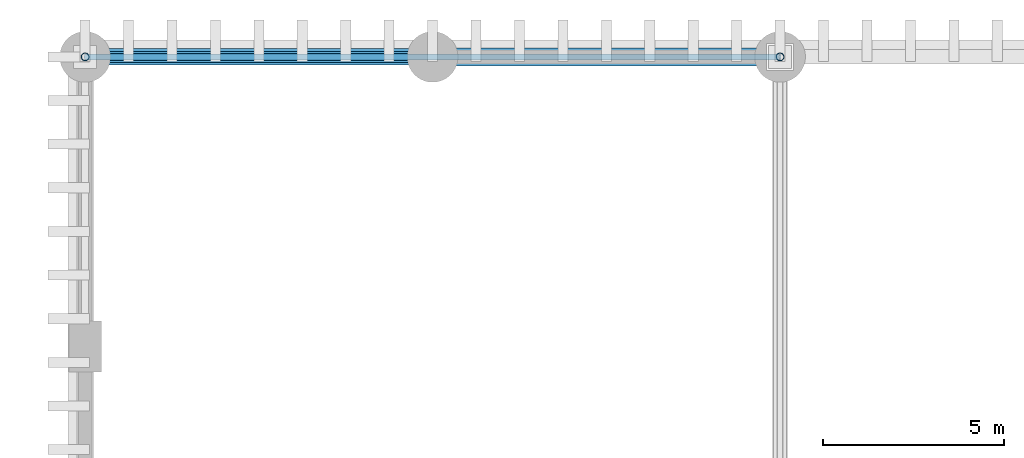
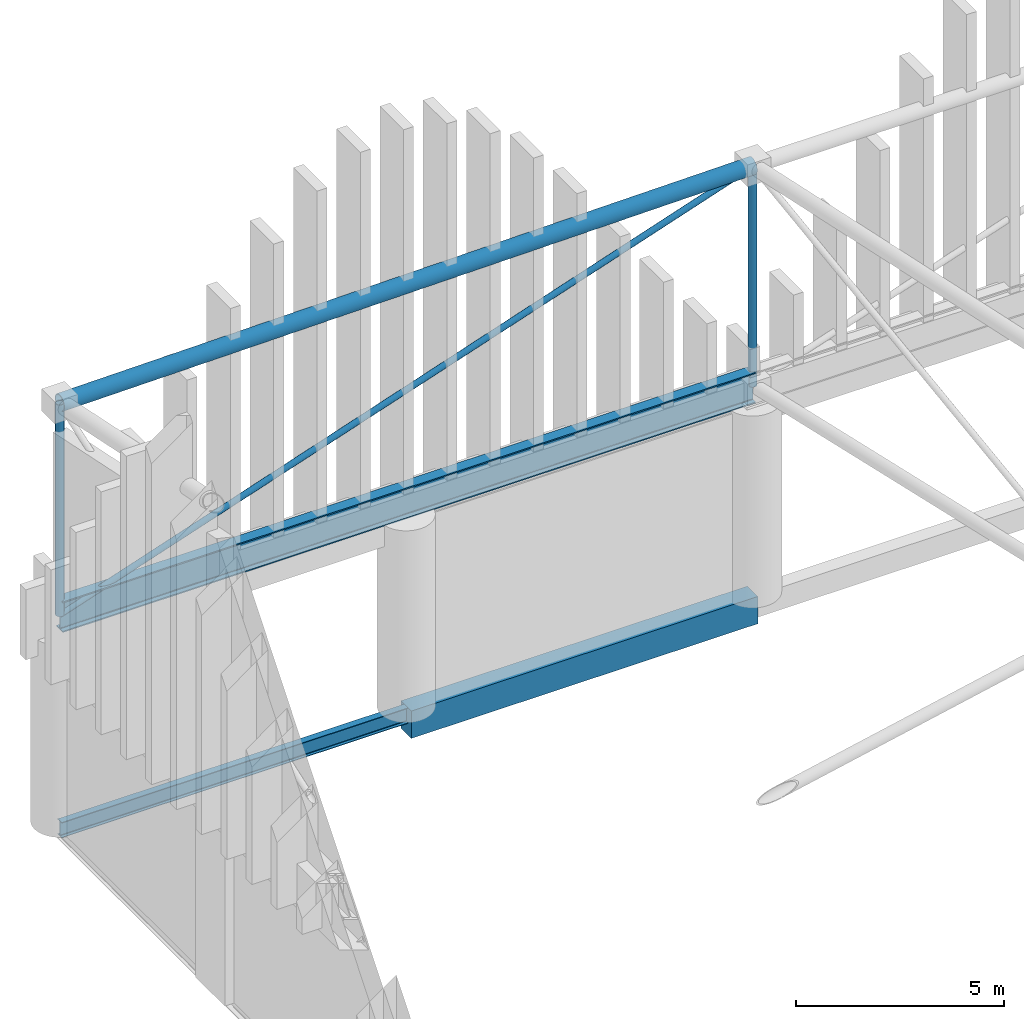
# One storey, part 124 of 193: 4 members, 3 beams.
"""IFC4 building model written with IfcOpenShell, lengths in metres."""

from ifc_helpers import new_model, si_unit, direction, frame, origin, origin_2d, place, context, subcontext, project, spatial, rectangle, hollow_circle, i_section, extrude, material, material_profile, profile_set, type_object, element, save


model = new_model("IFC4")

# Units and contexts
model_context = context("Model", 3, precision=1e-05, world=origin(), true_north=direction((0.0, 1.0)))
body_context = subcontext(model_context, "Body", "Model", "MODEL_VIEW")
ifc_project = project(units=[si_unit("LENGTHUNIT", "METRE"), si_unit("AREAUNIT", "SQUARE_METRE"), si_unit("VOLUMEUNIT", "CUBIC_METRE"), si_unit("PLANEANGLEUNIT", "RADIAN"), si_unit("MASSUNIT", "GRAM", prefix="KILO")], contexts=[model_context])

# Site, building, storey
site_placement = place(None, origin())
site = spatial("IfcSite", under=ifc_project, at=site_placement, CompositionType="ELEMENT")
building_placement = place(site_placement, origin())
building = spatial("IfcBuilding", under=site, at=building_placement, Name="Danafjord Basin Convention Centre", CompositionType="ELEMENT")
storey_placement = place(building_placement, frame((0.0, 0.0, 11.39990234375)))
storey = spatial("IfcBuildingStorey", under=building, at=storey_placement, Name="L02", CompositionType="ELEMENT", Elevation=11.39990234375)

# Beams
ifc_material_1 = material(Name="Steel S355", Category="steel")
ifc_material_profile_1 = material_profile(ifc_material_1, i_section(OverallWidth=0.300048828125, OverallDepth=0.89990234375, WebThickness=0.0185546875, FlangeThickness=0.034912109375, FilletRadius=0.030029296875, at=origin_2d()), Name="HEB 900")
ifc_profile_set_1 = profile_set([ifc_material_profile_1], Name="Steel S355")
beam_type_1 = type_object("IfcBeamType", Name="BEAM-BM-HEB900", PredefinedType="BEAM", material=ifc_profile_set_1)
beam_1_placement = place(storey_placement, frame((0.0, 144.0, 6.050048828125), z_axis=(1.0, 0.0, 0.0), x_axis=(0.0, 1.0, 0.0)))
element("IfcBeam", 1, at=beam_1_placement, inside=storey, type_object=beam_type_1, Name="V1 space-frame perimeter ring girder", PredefinedType="BEAM", context=body_context, shape_type="SweptSolid", body=[
    extrude(i_section(OverallWidth=0.300048828125, OverallDepth=0.89990234375, WebThickness=0.0185546875, FlangeThickness=0.034912109375, FilletRadius=0.030029296875, at=origin_2d()), origin(), (0.0, 0.0, 1.0), 19.199951171875),
])
ifc_material_profile_2 = material_profile(ifc_material_1, i_section(OverallWidth=0.18994140625, OverallDepth=0.449951171875, WebThickness=0.009521484375, FlangeThickness=0.0146484375, FilletRadius=0.02099609375, at=origin_2d()), Name="IPE 450")
ifc_profile_set_2 = profile_set([ifc_material_profile_2], Name="Steel S355")
beam_type_2 = type_object("IfcBeamType", Name="BEAM-SP-IPE450", PredefinedType="SPANDREL", material=ifc_profile_set_2)
beam_2_placement = place(storey_placement, frame((0.0, 144.0, -0.224853515625), z_axis=(1.0, 0.0, 0.0), x_axis=(0.0, 1.0, 0.0)))
element("IfcBeam", 2, at=beam_2_placement, inside=storey, type_object=beam_type_2, Name="L02 girder SP-IPE450", PredefinedType="SPANDREL", context=body_context, shape_type="SweptSolid", body=[
    extrude(i_section(OverallWidth=0.18994140625, OverallDepth=0.449951171875, WebThickness=0.009521484375, FlangeThickness=0.0146484375, FilletRadius=0.02099609375, at=origin_2d()), origin(), (0.0, 0.0, 1.0), 9.60009765625),
])
ifc_material_2 = material(Name="Precast concrete C45/55", Category="concrete")
ifc_material_profile_3 = material_profile(ifc_material_2, rectangle(XDim=0.5, YDim=0.800048828125, at=origin_2d()), Name="PCB 500x800")
ifc_profile_set_3 = profile_set([ifc_material_profile_3], Name="Precast concrete C45/55")
beam_type_3 = type_object("IfcBeamType", Name="BEAM-SP-PCB800", PredefinedType="SPANDREL", material=ifc_profile_set_3)
beam_3_placement = place(storey_placement, frame((9.60009765625, 144.0, -0.39990234375), z_axis=(1.0, 0.0, 0.0), x_axis=(0.0, 1.0, 0.0)))
element("IfcBeam", 3, at=beam_3_placement, inside=storey, type_object=beam_type_3, Name="L02 girder SP-PCB800", PredefinedType="SPANDREL", context=body_context, shape_type="SweptSolid", body=[
    extrude(rectangle(XDim=0.5, YDim=0.800048828125, at=origin_2d()), origin(), (0.0, 0.0, 1.0), 9.599853515625),
])

# Members
ifc_material_profile_4 = material_profile(ifc_material_1, hollow_circle(Radius=0.228515625, WallThickness=0.02001953125, at=origin_2d()), Name="CHS 457.0x20.0")
ifc_profile_set_4 = profile_set([ifc_material_profile_4], Name="Steel S355")
member_type_1 = type_object("IfcMemberType", Name="MEM-CH-CHS457", PredefinedType="CHORD", material=ifc_profile_set_4)
member_1_placement = place(storey_placement, frame((0.0, 144.0, 12.25), z_axis=(0.999931282566, 0.0, 0.011723060444), x_axis=(0.0, 1.0, 0.0)))
element("IfcMember", 4, at=member_1_placement, inside=storey, type_object=member_type_1, Name="V1 roof truss longitudinal top chord", PredefinedType="CHORD", context=body_context, shape_type="SweptSolid", body=[
    extrude(hollow_circle(Radius=0.228515625, WallThickness=0.02001953125, at=origin_2d()), origin(), (0.0, 0.0, 1.0), 19.201171875),
])
ifc_material_profile_5 = material_profile(ifc_material_1, hollow_circle(Radius=0.109619140625, WallThickness=0.010009765625, at=origin_2d()), Name="CHS 219.1x10.0")
ifc_profile_set_5 = profile_set([ifc_material_profile_5], Name="Steel S355")
member_type_2 = type_object("IfcMemberType", Name="MEM-ST-CHS219", PredefinedType="STRUT", material=ifc_profile_set_5)
member_2_placement = place(storey_placement, frame((0.0, 144.0, 6.050048828125), z_axis=(0.0, 0.0, 1.0), x_axis=(1.0, 0.0, 0.0)))
element("IfcMember", 5, at=member_2_placement, inside=storey, type_object=member_type_2, Name="V1 roof truss vertical strut", PredefinedType="STRUT", context=body_context, shape_type="SweptSolid", body=[
    extrude(hollow_circle(Radius=0.109619140625, WallThickness=0.010009765625, at=origin_2d()), origin(), (0.0, 0.0, 1.0), 6.199951171875),
])
member_3_placement = place(storey_placement, frame((19.199951171875, 144.0, 6.050048828125), z_axis=(0.0, 0.0, 1.0), x_axis=(1.0, 0.0, 0.0)))
element("IfcMember", 6, at=member_3_placement, inside=storey, type_object=member_type_2, Name="V1 roof truss vertical strut", PredefinedType="STRUT", context=body_context, shape_type="SweptSolid", body=[
    extrude(hollow_circle(Radius=0.109619140625, WallThickness=0.010009765625, at=origin_2d()), origin(), (0.0, 0.0, 1.0), 6.425048828125),
])
ifc_material_profile_6 = material_profile(ifc_material_1, hollow_circle(Radius=0.084228515625, WallThickness=0.008056640625, at=origin_2d()), Name="CHS 168.3x8.0")
ifc_profile_set_6 = profile_set([ifc_material_profile_6], Name="Steel S355")
member_type_3 = type_object("IfcMemberType", Name="MEM-WB-CHS168", PredefinedType="MEMBER", material=ifc_profile_set_6)
member_4_placement = place(storey_placement, frame((0.0, 144.0, 6.050048828125), z_axis=(0.948311244058, 0.0, 0.317341747007), x_axis=(0.0, 1.0, 0.0)))
element("IfcMember", 7, at=member_4_placement, inside=storey, type_object=member_type_3, Name="V1 space-frame longitudinal web", PredefinedType="MEMBER", context=body_context, shape_type="SweptSolid", body=[
    extrude(hollow_circle(Radius=0.084228515625, WallThickness=0.008056640625, at=origin_2d()), origin(), (0.0, 0.0, 1.0), 20.24658203125),
])

save(model, "model.ifc")
